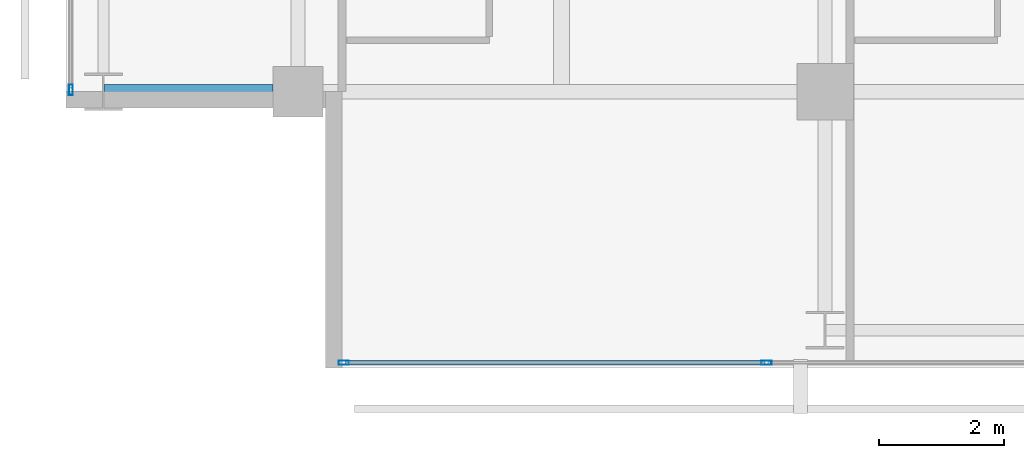
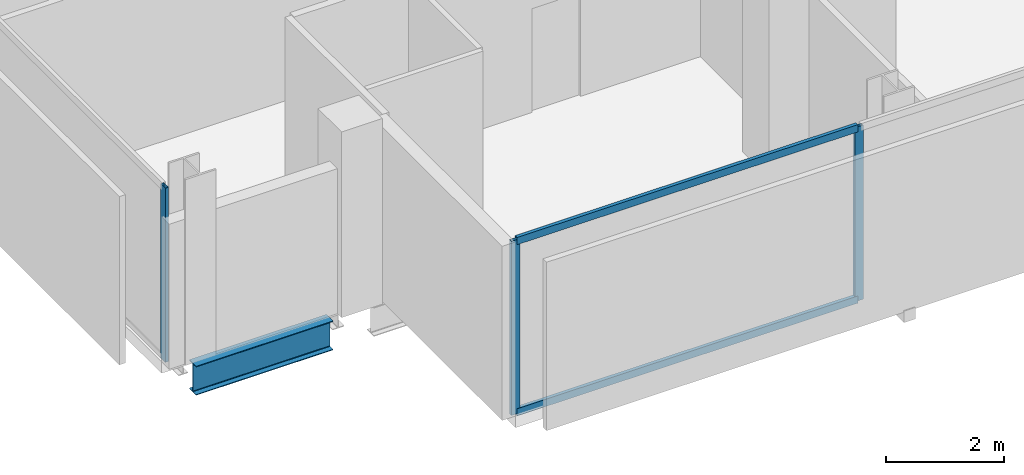
# One storey, part 2 of 34: 5 members, 1 beam, 2 elements without a shape of their own.
"""IFC4 building model written with IfcOpenShell, lengths in metres."""

from ifc_helpers import new_model, si_unit, direction, frame, origin, origin_2d, place, context, subcontext, project, spatial, hollow_rectangle, i_section, extrude, material, layer, layer_set, material_profile, profile_set, type_object, element, aggregate, save


model = new_model("IFC4")

# Units and contexts
model_context = context("Model", 3, precision=1e-05, world=origin(), true_north=direction((0.0, 1.0)))
body_context = subcontext(model_context, "Body", "Model", "MODEL_VIEW")
ifc_project = project(units=[si_unit("LENGTHUNIT", "METRE"), si_unit("AREAUNIT", "SQUARE_METRE"), si_unit("VOLUMEUNIT", "CUBIC_METRE"), si_unit("PLANEANGLEUNIT", "RADIAN"), si_unit("MASSUNIT", "GRAM", prefix="KILO")], contexts=[model_context])

# Site, building, storey
site_placement = place(None, origin())
site = spatial("IfcSite", under=ifc_project, at=site_placement, CompositionType="ELEMENT")
building_placement = place(site_placement, origin())
building = spatial("IfcBuilding", under=site, at=building_placement, Name="Maruvema Waterfront Hotel and Observation Tower", CompositionType="ELEMENT")
storey_placement = place(building_placement, frame((0.0, 0.0, 173.60009765625)))
storey = spatial("IfcBuildingStorey", under=building, at=storey_placement, Name="L42", CompositionType="ELEMENT", Elevation=173.60009765625)

# Curtain wall, members
ifc_material_1 = material(Name="Anodised bronze aluminium and solar-control low-E IGU", Category="aluminium")
ifc_layer = layer(ifc_material_1, 0.159912109375, Name="Zone 2 Amber Inner Thermal Curtain Wall System CW-03")
ifc_layer_set = layer_set([ifc_layer], Name="Anodised bronze aluminium and solar-control low-E IGU")
curtain_wall_type = type_object("IfcCurtainWallType", Name="Zone 2 Amber Inner Thermal Curtain Wall System CW-03", PredefinedType="USERDEFINED", material=ifc_layer_set)
curtain_wall_1_placement = place(storey_placement, origin())
curtain_wall_1 = element("IfcCurtainWall", 1, at=curtain_wall_1_placement, inside=storey, type_object=curtain_wall_type, Name="L42 Curtain Wall CW-L42-S", ObjectType="UNITISED CURTAIN WALL", PredefinedType="USERDEFINED")
ifc_material_2 = material(Name="Anodised architectural bronze aluminium", Category="aluminium")
ifc_material_profile_1 = material_profile(ifc_material_2, hollow_rectangle(XDim=0.070068359375, YDim=0.14990234375, WallThickness=0.00390625, at=origin_2d()), Name="ALU-T70x150")
ifc_profile_set_1 = profile_set([ifc_material_profile_1], Name="Anodised architectural bronze aluminium")
member_type_1 = type_object("IfcMemberType", Name="Curtain Wall Horizontal Transom ALU-T70x150", PredefinedType="USERDEFINED", material=ifc_profile_set_1)
member_1_placement = place(storey_placement, frame((17.56005859375, 4.679931640625, 0.02978515625), z_axis=(1.0, 0.0, 0.0), x_axis=(0.0, 1.0, 0.0)))
member_1 = element("IfcMember", 2, at=member_1_placement, type_object=member_type_1, Name="CW-03 transom 1.1", ObjectType="TRANSOM", PredefinedType="USERDEFINED", context=body_context, shape_type="SweptSolid", body=[
    extrude(hollow_rectangle(XDim=0.070068359375, YDim=0.14990234375, WallThickness=0.00390625, at=origin_2d()), origin(), (0.0, 0.0, 1.0), 6.676513671875),
])
member_2_placement = place(storey_placement, frame((17.56005859375, 4.679931640625, 3.579833984375), z_axis=(1.0, 0.0, 0.0), x_axis=(0.0, 1.0, 0.0)))
member_2 = element("IfcMember", 3, at=member_2_placement, type_object=member_type_1, Name="CW-03 transom 1.2", ObjectType="TRANSOM", PredefinedType="USERDEFINED", context=body_context, shape_type="SweptSolid", body=[
    extrude(hollow_rectangle(XDim=0.070068359375, YDim=0.14990234375, WallThickness=0.00390625, at=origin_2d()), origin(), (0.0, 0.0, 1.0), 6.676513671875),
])
ifc_material_3 = material(Name="Anodised architectural bronze aluminium", Category="aluminium")
ifc_material_profile_2 = material_profile(ifc_material_3, hollow_rectangle(XDim=0.06494140625, YDim=0.1650390625, WallThickness=0.00390625, at=origin_2d()), Name="ALU-M65x165")
ifc_profile_set_2 = profile_set([ifc_material_profile_2], Name="Anodised architectural bronze aluminium")
member_type_2 = type_object("IfcMemberType", Name="Curtain Wall Primary Mullion ALU-M65x165", PredefinedType="MULLION", material=ifc_profile_set_2)
member_3_placement = place(storey_placement, frame((17.530029296875, 4.679931640625, 0.0), z_axis=(0.0, 0.0, 1.0), x_axis=(0.0, 1.0, 0.0)))
member_3 = element("IfcMember", 4, at=member_3_placement, type_object=member_type_2, Name="CW-03 mullion 1", PredefinedType="MULLION", context=body_context, shape_type="SweptSolid", body=[
    extrude(hollow_rectangle(XDim=0.06494140625, YDim=0.1650390625, WallThickness=0.00390625, at=origin_2d()), origin(), (0.0, 0.0, 1.0), 3.60986328125),
])
member_4_placement = place(storey_placement, frame((24.2666015625, 4.679931640625, 0.0), z_axis=(0.0, 0.0, 1.0), x_axis=(0.0, 1.0, 0.0)))
member_4 = element("IfcMember", 5, at=member_4_placement, type_object=member_type_2, Name="CW-03 mullion 2", PredefinedType="MULLION", context=body_context, shape_type="SweptSolid", body=[
    extrude(hollow_rectangle(XDim=0.06494140625, YDim=0.1650390625, WallThickness=0.00390625, at=origin_2d()), origin(), (0.0, 0.0, 1.0), 3.60986328125),
])
aggregate(curtain_wall_1, [member_3, member_4, member_1, member_2])

# Curtain wall, member
curtain_wall_2_placement = place(storey_placement, origin())
curtain_wall_2 = element("IfcCurtainWall", 6, at=curtain_wall_2_placement, inside=storey, type_object=curtain_wall_type, Name="L42 Curtain Wall CW-L42-W", ObjectType="UNITISED CURTAIN WALL", PredefinedType="USERDEFINED")
member_5_placement = place(storey_placement, frame((13.179931640625, 9.030029296875, 0.0), z_axis=(0.0, 0.0, 1.0), x_axis=(1.0, 0.0, 0.0)))
member_5 = element("IfcMember", 7, at=member_5_placement, type_object=member_type_2, Name="CW-03 mullion 7", PredefinedType="MULLION", context=body_context, shape_type="SweptSolid", body=[
    extrude(hollow_rectangle(XDim=0.06494140625, YDim=0.1650390625, WallThickness=0.00390625, at=origin_2d()), origin(), (0.0, 0.0, 1.0), 3.60986328125),
])
aggregate(curtain_wall_2, [member_5])

# Beam
ifc_material_4 = material(Name="Steel ASTM A572 Grade 50", Category="steel")
ifc_material_profile_3 = material_profile(ifc_material_4, i_section(OverallWidth=0.22802734375, OverallDepth=0.60302734375, WebThickness=0.010498046875, FlangeThickness=0.014892578125, FilletRadius=0.01806640625, at=origin_2d()), Name="W610x101.0")
ifc_profile_set_3 = profile_set([ifc_material_profile_3], Name="Steel ASTM A572 Grade 50")
beam_type = type_object("IfcBeamType", Name="Primary Floor Girder W610x101.0", PredefinedType="BEAM", material=ifc_profile_set_3)
beam_placement = place(storey_placement, frame((13.71240234375, 9.0, -0.54150390625), z_axis=(1.0, 0.0, 0.0), x_axis=(0.0, 1.0, 0.0)))
element("IfcBeam", 8, at=beam_placement, inside=storey, type_object=beam_type, Name="L42 Floor Girder EW-04", PredefinedType="BEAM", context=body_context, shape_type="SweptSolid", body=[
    extrude(i_section(OverallWidth=0.22802734375, OverallDepth=0.60302734375, WebThickness=0.010498046875, FlangeThickness=0.014892578125, FilletRadius=0.01806640625, at=origin_2d()), origin(), (0.0, 0.0, 1.0), 2.6875),
])

save(model, "model.ifc")
